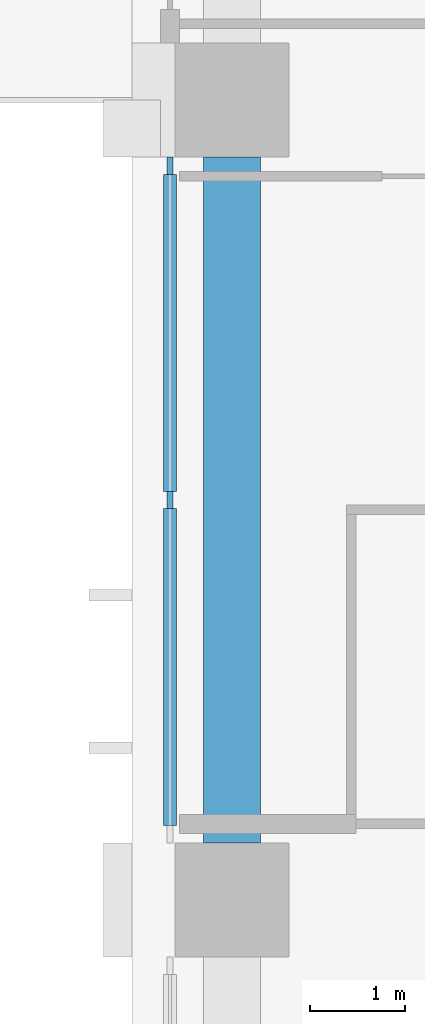
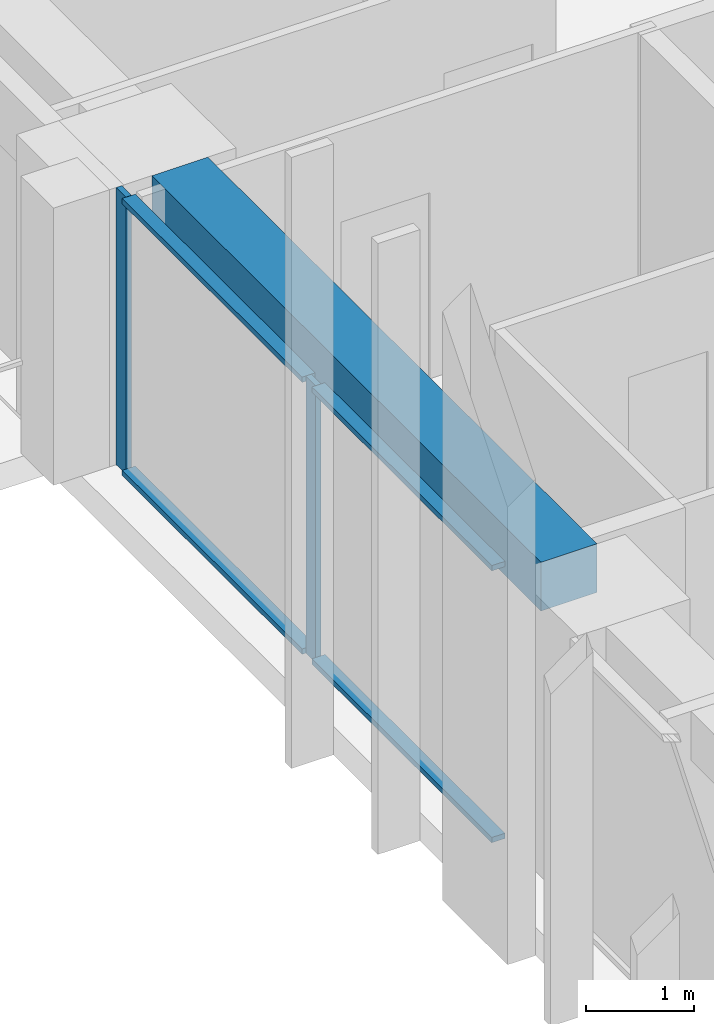
# One storey, part 3 of 17: 6 members, 1 beam, 1 element without a shape of its own.
"""IFC4 building model written with IfcOpenShell, lengths in metres."""

from ifc_helpers import new_model, si_unit, direction, frame, origin, origin_2d, place, context, subcontext, project, spatial, rectangle, extrude, material, material_profile, profile_set, type_object, element, aggregate, save


model = new_model("IFC4")

# Units and contexts
model_context = context("Model", 3, precision=1e-05, world=origin(), true_north=direction((0.0, 1.0)))
body_context = subcontext(model_context, "Body", "Model", "MODEL_VIEW")
ifc_project = project(units=[si_unit("LENGTHUNIT", "METRE"), si_unit("AREAUNIT", "SQUARE_METRE"), si_unit("VOLUMEUNIT", "CUBIC_METRE"), si_unit("PLANEANGLEUNIT", "RADIAN"), si_unit("MASSUNIT", "GRAM", prefix="KILO")], contexts=[model_context])

# Site, building, storey
site_placement = place(None, origin())
site = spatial("IfcSite", under=ifc_project, at=site_placement, CompositionType="ELEMENT")
building_placement = place(site_placement, origin())
building = spatial("IfcBuilding", under=site, at=building_placement, Name="Vermilion Ogive Tower", CompositionType="ELEMENT")
storey_placement = place(building_placement, frame((0.0, 0.0, 111.449951171875)))
storey = spatial("IfcBuildingStorey", under=building, at=storey_placement, Name="L28", CompositionType="ELEMENT", Elevation=111.449951171875)

# Curtain wall, members
ifc_material_1 = material(Name="Low-iron laminated glazing in aluminium frame", Category="aluminium")
curtain_wall_type = type_object("IfcCurtainWallType", Name="Curtain wall CW7", PredefinedType="NOTDEFINED", material=ifc_material_1)
curtain_wall_placement = place(storey_placement, origin())
curtain_wall = element("IfcCurtainWall", 1, at=curtain_wall_placement, inside=storey, type_object=curtain_wall_type, Name="Glazed skin W2", PredefinedType="NOTDEFINED")
ifc_material_2 = material(Name="Aluminium mullion", Category="aluminium")
ifc_material_profile_1 = material_profile(ifc_material_2, rectangle(XDim=0.06005859375, YDim=0.179931640625, at=origin_2d()), Name="AL 60x180")
ifc_profile_set_1 = profile_set([ifc_material_profile_1], Name="Aluminium mullion")
member_type_1 = type_object("IfcMemberType", Name="CW7 mullion 60x180", PredefinedType="MULLION", material=ifc_profile_set_1)
member_1_placement = place(storey_placement, frame((-25.85009765625, 3.510009765625, 0.0), z_axis=(0.0, 0.0, 1.0), x_axis=(1.0, 0.0, 0.0)))
member_1 = element("IfcMember", 2, at=member_1_placement, type_object=member_type_1, Name="CW7-W2 mullion 1", PredefinedType="MULLION", context=body_context, shape_type="SweptSolid", body=[
    extrude(rectangle(XDim=0.06005859375, YDim=0.179931640625, at=origin_2d()), origin(), (0.0, 0.0, 1.0), 3.130126953125),
])
member_2_placement = place(storey_placement, frame((-25.85009765625, 0.0, 0.0), z_axis=(0.0, 0.0, 1.0), x_axis=(1.0, 0.0, 0.0)))
member_2 = element("IfcMember", 3, at=member_2_placement, type_object=member_type_1, Name="CW7-W2 mullion 2", PredefinedType="MULLION", context=body_context, shape_type="SweptSolid", body=[
    extrude(rectangle(XDim=0.06005859375, YDim=0.179931640625, at=origin_2d()), origin(), (0.0, 0.0, 1.0), 3.130126953125),
])
ifc_material_3 = material(Name="Aluminium transom", Category="aluminium")
ifc_material_profile_2 = material_profile(ifc_material_3, rectangle(XDim=0.139892578125, YDim=0.06005859375, at=origin_2d()), Name="AL 60x140")
ifc_profile_set_2 = profile_set([ifc_material_profile_2], Name="Aluminium transom")
member_type_2 = type_object("IfcMemberType", Name="CW7 transom 60x140", PredefinedType="USERDEFINED", material=ifc_profile_set_2)
member_3_placement = place(storey_placement, frame((-25.85009765625, 3.419921875, 0.030029296875), z_axis=(0.0, -1.0, 0.0), x_axis=(1.0, 0.0, 0.0)))
member_3 = element("IfcMember", 4, at=member_3_placement, type_object=member_type_2, Name="CW7-W2 transom 1.1", ObjectType="TRANSOM", PredefinedType="USERDEFINED", context=body_context, shape_type="SweptSolid", body=[
    extrude(rectangle(XDim=0.139892578125, YDim=0.06005859375, at=origin_2d()), origin(), (0.0, 0.0, 1.0), 3.329833984375),
])
member_4_placement = place(storey_placement, frame((-25.85009765625, 3.419921875, 3.10009765625), z_axis=(0.0, -1.0, 0.0), x_axis=(1.0, 0.0, 0.0)))
member_4 = element("IfcMember", 5, at=member_4_placement, type_object=member_type_2, Name="CW7-W2 transom 1.2", ObjectType="TRANSOM", PredefinedType="USERDEFINED", context=body_context, shape_type="SweptSolid", body=[
    extrude(rectangle(XDim=0.139892578125, YDim=0.06005859375, at=origin_2d()), origin(), (0.0, 0.0, 1.0), 3.329833984375),
])
member_5_placement = place(storey_placement, frame((-25.85009765625, -0.090087890625, 0.030029296875), z_axis=(0.0, -1.0, 0.0), x_axis=(1.0, 0.0, 0.0)))
member_5 = element("IfcMember", 6, at=member_5_placement, type_object=member_type_2, Name="CW7-W2 transom 2.1", ObjectType="TRANSOM", PredefinedType="USERDEFINED", context=body_context, shape_type="SweptSolid", body=[
    extrude(rectangle(XDim=0.139892578125, YDim=0.06005859375, at=origin_2d()), origin(), (0.0, 0.0, 1.0), 3.329833984375),
])
member_6_placement = place(storey_placement, frame((-25.85009765625, -0.090087890625, 3.10009765625), z_axis=(0.0, -1.0, 0.0), x_axis=(1.0, 0.0, 0.0)))
member_6 = element("IfcMember", 7, at=member_6_placement, type_object=member_type_2, Name="CW7-W2 transom 2.2", ObjectType="TRANSOM", PredefinedType="USERDEFINED", context=body_context, shape_type="SweptSolid", body=[
    extrude(rectangle(XDim=0.139892578125, YDim=0.06005859375, at=origin_2d()), origin(), (0.0, 0.0, 1.0), 3.329833984375),
])
aggregate(curtain_wall, [member_1, member_2, member_3, member_4, member_5, member_6])

# Beam
ifc_material_4 = material(Name="Concrete B45", Category="concrete")
ifc_material_profile_3 = material_profile(ifc_material_4, rectangle(XDim=0.60009765625, YDim=0.550048828125, at=origin_2d()), Name="600 x 550")
ifc_profile_set_3 = profile_set([ifc_material_profile_3], Name="Concrete B45")
beam_type = type_object("IfcBeamType", Name="Edge beam 600 x 550 B45", PredefinedType="BEAM", material=ifc_profile_set_3)
beam_placement = place(storey_placement, frame((-25.199951171875, 3.60009765625, 2.85498046875), z_axis=(0.0, -1.0, 0.0), x_axis=(1.0, 0.0, 0.0)))
element("IfcBeam", 8, at=beam_placement, inside=storey, type_object=beam_type, Name="L28-EB-15", PredefinedType="BEAM", context=body_context, shape_type="SweptSolid", body=[
    extrude(rectangle(XDim=0.60009765625, YDim=0.550048828125, at=origin_2d()), origin(), (0.0, 0.0, 1.0), 7.2001953125),
])

save(model, "model.ifc")
